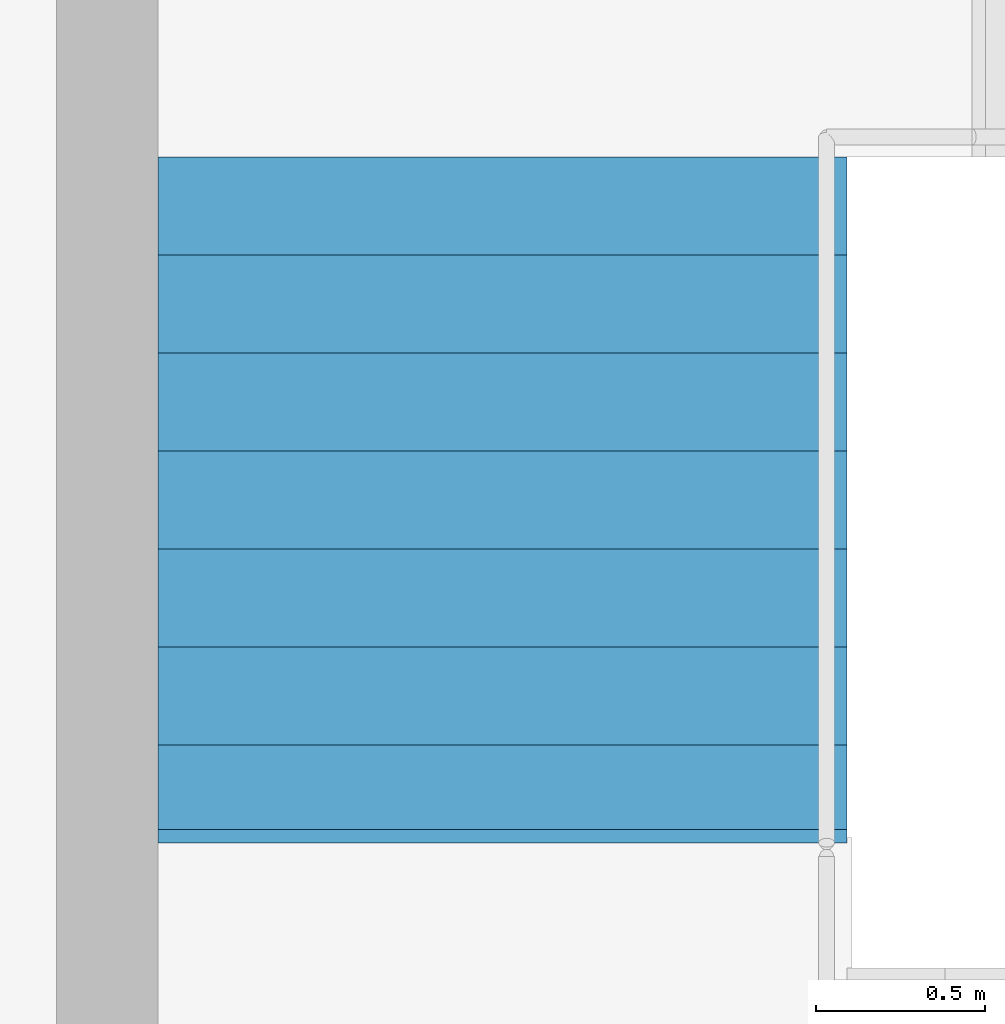
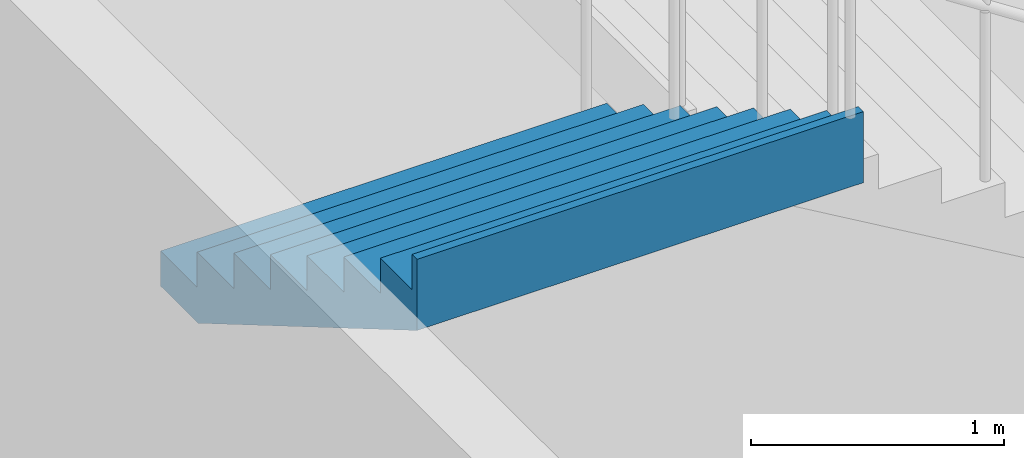
# One storey, part 60 of 72: 1 stair flight, 1 element without a shape of its own.
"""IFC4 building model written with IfcOpenShell, lengths in metres."""

from ifc_helpers import new_model, si_unit, direction, frame, origin, place, context, subcontext, project, spatial, triangles, material, type_object, element, aggregate, save


model = new_model("IFC4")

# Units and contexts
model_context = context("Model", 3, precision=1e-05, world=origin(), true_north=direction((0.0, 1.0)))
body_context = subcontext(model_context, "Body", "Model", "MODEL_VIEW")
ifc_project = project(units=[si_unit("LENGTHUNIT", "METRE"), si_unit("AREAUNIT", "SQUARE_METRE"), si_unit("VOLUMEUNIT", "CUBIC_METRE"), si_unit("PLANEANGLEUNIT", "RADIAN"), si_unit("MASSUNIT", "GRAM", prefix="KILO")], contexts=[model_context])

# Site, building, storey
site_placement = place(None, origin())
site = spatial("IfcSite", under=ifc_project, at=site_placement, CompositionType="ELEMENT")
building_placement = place(site_placement, origin())
building = spatial("IfcBuilding", under=site, at=building_placement, Name="Sillaruma Civic Art Gallery", CompositionType="ELEMENT")
storey_placement = place(building_placement, frame((0.0, 0.0, 10.8798828125)))
storey = spatial("IfcBuildingStorey", under=building, at=storey_placement, Name="L02", CompositionType="ELEMENT", Elevation=10.8798828125)

# Stair, stair flight
ifc_material = material(Name="Concrete H35 (35 MPa)", Category="concrete")
stair_type = type_object("IfcStairType", Name="STR-4F-32", PredefinedType="USERDEFINED", material=ifc_material)
stair_placement = place(storey_placement, origin())
stair = element("IfcStair", 1, at=stair_placement, inside=storey, type_object=stair_type, Name="Protected Exit Stair ST-01 (West Wing) (L02)", ObjectType="THREE_RETURN_STAIR", PredefinedType="USERDEFINED")
stair_flight_type = type_object("IfcStairFlightType", Name="SFL-STR-8", PredefinedType="STRAIGHT", material=ifc_material)
stair_flight_placement = place(storey_placement, frame((26.580078125, 105.139892578125, 4.080078125), z_axis=(0.0, 0.0, 1.0), x_axis=(0.0, -1.0, 0.0)))
stair_flight = element("IfcStairFlight", 2, at=stair_flight_placement, type_object=stair_flight_type, Name="ST-01 flight 4", NumberOfRisers=8, NumberOfTreads=7, PredefinedType="STRAIGHT", RiserHeight=0.17, TreadLength=0.29, context=body_context, shape_type="Tessellation", body=[
    triangles([(0.0, -1.02001953125, 0.0), (0.29, -1.02001953125, 0.0), (0.296443, -1.02001953125, 0.0), (0.58, -1.02001953125, 0.166223), (0.87, -1.02001953125, 0.336223), (1.16, -1.02001953125, 0.506223), (1.45, -1.02001953125, 0.676223), (1.74, -1.02001953125, 0.846223), (1.990029, -1.02001953125, 0.992792), (2.030029, -1.02001953125, 1.01624), (2.030029, -1.02001953125, 1.36), (1.990029, -1.02001953125, 1.36), (1.990029, -1.02001953125, 1.19), (1.74, -1.02001953125, 1.19), (1.74, -1.02001953125, 1.02), (1.45, -1.02001953125, 1.02), (1.45, -1.02001953125, 0.85), (1.16, -1.02001953125, 0.85), (1.16, -1.02001953125, 0.68), (0.87, -1.02001953125, 0.68), (0.87, -1.02001953125, 0.51), (0.58, -1.02001953125, 0.51), (0.58, -1.02001953125, 0.34), (0.296443, -1.02001953125, 0.34), (0.29, -1.02001953125, 0.34), (0.29, -1.02001953125, 0.17), (0.0, -1.02001953125, 0.17), (0.0, -0.05, 0.0), (0.29, -0.05, 0.0), (0.296443, -0.05, 0.0), (0.58, -0.05, 0.166223), (0.87, -0.05, 0.336223), (1.16, -0.05, 0.506223), (1.45, -0.05, 0.676223), (1.74, -0.05, 0.846223), (1.990029, -0.05, 0.992792), (2.030029, -0.05, 1.01624), (2.030029, -0.05, 1.36), (1.990029, -0.05, 1.36), (1.990029, -0.05, 1.19), (1.74, -0.05, 1.19), (1.74, -0.05, 1.02), (1.45, -0.05, 1.02), (1.45, -0.05, 0.85), (1.16, -0.05, 0.85), (1.16, -0.05, 0.68), (0.87, -0.05, 0.68), (0.87, -0.05, 0.51), (0.58, -0.05, 0.51), (0.58, -0.05, 0.34), (0.296443, -0.05, 0.34), (0.29, -0.05, 0.34), (0.29, -0.05, 0.17), (0.0, -0.05, 0.17), (0.0, -0.0375, 0.0), (0.29, -0.0375, 0.0), (0.296443, -0.0375, 0.0), (0.58, -0.0375, 0.166223), (0.87, -0.0375, 0.336223), (1.16, -0.0375, 0.506223), (1.45, -0.0375, 0.676223), (1.74, -0.0375, 0.846223), (1.990029, -0.0375, 0.992792), (2.030029, -0.0375, 1.01624), (2.030029, -0.0375, 1.36), (1.990029, -0.0375, 1.36), (1.990029, -0.0375, 1.19), (1.74, -0.0375, 1.19), (1.74, -0.0375, 1.02), (1.45, -0.0375, 1.02), (1.45, -0.0375, 0.85), (1.16, -0.0375, 0.85), (1.16, -0.0375, 0.68), (0.87, -0.0375, 0.68), (0.87, -0.0375, 0.51), (0.58, -0.0375, 0.51), (0.58, -0.0375, 0.34), (0.296443, -0.0375, 0.34), (0.29, -0.0375, 0.34), (0.29, -0.0375, 0.17), (0.0, -0.0375, 0.17), (0.0, -0.025, 0.0), (0.29, -0.025, 0.0), (0.296443, -0.025, 0.0), (0.58, -0.025, 0.166223), (0.87, -0.025, 0.336223), (1.16, -0.025, 0.506223), (1.45, -0.025, 0.676223), (1.74, -0.025, 0.846223), (1.990029, -0.025, 0.992792), (2.030029, -0.025, 1.01624), (2.030029, -0.025, 1.36), (1.990029, -0.025, 1.36), (1.990029, -0.025, 1.19), (1.74, -0.025, 1.19), (1.74, -0.025, 1.02), (1.45, -0.025, 1.02), (1.45, -0.025, 0.85), (1.16, -0.025, 0.85), (1.16, -0.025, 0.68), (0.87, -0.025, 0.68), (0.87, -0.025, 0.51), (0.58, -0.025, 0.51), (0.58, -0.025, 0.34), (0.296443, -0.025, 0.34), (0.29, -0.025, 0.34), (0.29, -0.025, 0.17), (0.0, -0.025, 0.17), (0.0, -0.0125, 0.0), (0.29, -0.0125, 0.0), (0.296443, -0.0125, 0.0), (0.58, -0.0125, 0.166223), (0.87, -0.0125, 0.336223), (1.16, -0.0125, 0.506223), (1.45, -0.0125, 0.676223), (1.74, -0.0125, 0.846223), (1.990029, -0.0125, 0.992792), (2.030029, -0.0125, 1.01624), (2.030029, -0.0125, 1.36), (1.990029, -0.0125, 1.36), (1.990029, -0.0125, 1.19), (1.74, -0.0125, 1.19), (1.74, -0.0125, 1.02), (1.45, -0.0125, 1.02), (1.45, -0.0125, 0.85), (1.16, -0.0125, 0.85), (1.16, -0.0125, 0.68), (0.87, -0.0125, 0.68), (0.87, -0.0125, 0.51), (0.58, -0.0125, 0.51), (0.58, -0.0125, 0.34), (0.296443, -0.0125, 0.34), (0.29, -0.0125, 0.34), (0.29, -0.0125, 0.17), (0.0, -0.0125, 0.17), (0.0, 0.0, 0.0), (0.29, 0.0, 0.0), (0.296443, 0.0, 0.0), (0.58, 0.0, 0.166223), (0.87, 0.0, 0.336223), (1.16, 0.0, 0.506223), (1.45, 0.0, 0.676223), (1.74, 0.0, 0.846223), (1.990029, 0.0, 0.992792), (2.030029, 0.0, 1.01624), (2.030029, 0.0, 1.36), (1.990029, 0.0, 1.36), (1.990029, 0.0, 1.19), (1.74, 0.0, 1.19), (1.74, 0.0, 1.02), (1.45, 0.0, 1.02), (1.45, 0.0, 0.85), (1.16, 0.0, 0.85), (1.16, 0.0, 0.68), (0.87, 0.0, 0.68), (0.87, 0.0, 0.51), (0.58, 0.0, 0.51), (0.58, 0.0, 0.34), (0.296443, 0.0, 0.34), (0.29, 0.0, 0.34), (0.29, 0.0, 0.17), (0.0, 0.0, 0.17), (0.0, 0.0125, 0.0), (0.29, 0.0125, 0.0), (0.296443, 0.0125, 0.0), (0.58, 0.0125, 0.166223), (0.87, 0.0125, 0.336223), (1.16, 0.0125, 0.506223), (1.45, 0.0125, 0.676223), (1.74, 0.0125, 0.846223), (1.990029, 0.0125, 0.992792), (2.030029, 0.0125, 1.01624), (2.030029, 0.0125, 1.36), (1.990029, 0.0125, 1.36), (1.990029, 0.0125, 1.19), (1.74, 0.0125, 1.19), (1.74, 0.0125, 1.02), (1.45, 0.0125, 1.02), (1.45, 0.0125, 0.85), (1.16, 0.0125, 0.85), (1.16, 0.0125, 0.68), (0.87, 0.0125, 0.68), (0.87, 0.0125, 0.51), (0.58, 0.0125, 0.51), (0.58, 0.0125, 0.34), (0.296443, 0.0125, 0.34), (0.29, 0.0125, 0.34), (0.29, 0.0125, 0.17), (0.0, 0.0125, 0.17), (0.0, 0.025, 0.0), (0.29, 0.025, 0.0), (0.296443, 0.025, 0.0), (0.58, 0.025, 0.166223), (0.87, 0.025, 0.336223), (1.16, 0.025, 0.506223), (1.45, 0.025, 0.676223), (1.74, 0.025, 0.846223), (1.990029, 0.025, 0.992792), (2.030029, 0.025, 1.01624), (2.030029, 0.025, 1.36), (1.990029, 0.025, 1.36), (1.990029, 0.025, 1.19), (1.74, 0.025, 1.19), (1.74, 0.025, 1.02), (1.45, 0.025, 1.02), (1.45, 0.025, 0.85), (1.16, 0.025, 0.85), (1.16, 0.025, 0.68), (0.87, 0.025, 0.68), (0.87, 0.025, 0.51), (0.58, 0.025, 0.51), (0.58, 0.025, 0.34), (0.296443, 0.025, 0.34), (0.29, 0.025, 0.34), (0.29, 0.025, 0.17), (0.0, 0.025, 0.17), (0.0, 0.0375, 0.0), (0.29, 0.0375, 0.0), (0.296443, 0.0375, 0.0), (0.58, 0.0375, 0.166223), (0.87, 0.0375, 0.336223), (1.16, 0.0375, 0.506223), (1.45, 0.0375, 0.676223), (1.74, 0.0375, 0.846223), (1.990029, 0.0375, 0.992792), (2.030029, 0.0375, 1.01624), (2.030029, 0.0375, 1.36), (1.990029, 0.0375, 1.36), (1.990029, 0.0375, 1.19), (1.74, 0.0375, 1.19), (1.74, 0.0375, 1.02), (1.45, 0.0375, 1.02), (1.45, 0.0375, 0.85), (1.16, 0.0375, 0.85), (1.16, 0.0375, 0.68), (0.87, 0.0375, 0.68), (0.87, 0.0375, 0.51), (0.58, 0.0375, 0.51), (0.58, 0.0375, 0.34), (0.296443, 0.0375, 0.34), (0.29, 0.0375, 0.34), (0.29, 0.0375, 0.17), (0.0, 0.0375, 0.17), (0.0, 0.05, 0.0), (0.29, 0.05, 0.0), (0.296443, 0.05, 0.0), (0.58, 0.05, 0.166223), (0.87, 0.05, 0.336223), (1.16, 0.05, 0.506223), (1.45, 0.05, 0.676223), (1.74, 0.05, 0.846223), (1.990029, 0.05, 0.992792), (2.030029, 0.05, 1.01624), (2.030029, 0.05, 1.36), (1.990029, 0.05, 1.36), (1.990029, 0.05, 1.19), (1.74, 0.05, 1.19), (1.74, 0.05, 1.02), (1.45, 0.05, 1.02), (1.45, 0.05, 0.85), (1.16, 0.05, 0.85), (1.16, 0.05, 0.68), (0.87, 0.05, 0.68), (0.87, 0.05, 0.51), (0.58, 0.05, 0.51), (0.58, 0.05, 0.34), (0.296443, 0.05, 0.34), (0.29, 0.05, 0.34), (0.29, 0.05, 0.17), (0.0, 0.05, 0.17), (0.0, 1.02001953125, 0.0), (0.29, 1.02001953125, 0.0), (0.296443, 1.02001953125, 0.0), (0.58, 1.02001953125, 0.166223), (0.87, 1.02001953125, 0.336223), (1.16, 1.02001953125, 0.506223), (1.45, 1.02001953125, 0.676223), (1.74, 1.02001953125, 0.846223), (1.990029, 1.02001953125, 0.992792), (2.030029, 1.02001953125, 1.01624), (2.030029, 1.02001953125, 1.36), (1.990029, 1.02001953125, 1.36), (1.990029, 1.02001953125, 1.19), (1.74, 1.02001953125, 1.19), (1.74, 1.02001953125, 1.02), (1.45, 1.02001953125, 1.02), (1.45, 1.02001953125, 0.85), (1.16, 1.02001953125, 0.85), (1.16, 1.02001953125, 0.68), (0.87, 1.02001953125, 0.68), (0.87, 1.02001953125, 0.51), (0.58, 1.02001953125, 0.51), (0.58, 1.02001953125, 0.34), (0.296443, 1.02001953125, 0.34), (0.29, 1.02001953125, 0.34), (0.29, 1.02001953125, 0.17), (0.0, 1.02001953125, 0.17)], [[1, 2, 26], [1, 26, 27], [2, 3, 24], [2, 24, 26], [26, 24, 25], [3, 4, 23], [3, 23, 24], [4, 5, 21], [4, 21, 23], [23, 21, 22], [5, 6, 19], [5, 19, 21], [21, 19, 20], [6, 7, 17], [6, 17, 19], [19, 17, 18], [7, 8, 15], [7, 15, 17], [17, 15, 16], [8, 9, 13], [8, 13, 15], [15, 13, 14], [9, 10, 11], [9, 11, 13], [13, 11, 12], [296, 272, 271], [297, 296, 271], [294, 273, 272], [296, 294, 272], [295, 294, 296], [293, 274, 273], [294, 293, 273], [291, 275, 274], [293, 291, 274], [292, 291, 293], [289, 276, 275], [291, 289, 275], [290, 289, 291], [287, 277, 276], [289, 287, 276], [288, 287, 289], [285, 278, 277], [287, 285, 277], [286, 285, 287], [283, 279, 278], [285, 283, 278], [284, 283, 285], [281, 280, 279], [283, 281, 279], [282, 281, 283], [2, 1, 28], [2, 28, 29], [3, 2, 29], [3, 29, 30], [4, 3, 30], [4, 30, 31], [5, 4, 31], [5, 31, 32], [6, 5, 32], [6, 32, 33], [7, 6, 33], [7, 33, 34], [8, 7, 34], [8, 34, 35], [9, 8, 35], [9, 35, 36], [10, 9, 36], [10, 36, 37], [11, 10, 37], [11, 37, 38], [12, 11, 38], [12, 38, 39], [13, 12, 39], [13, 39, 40], [14, 13, 40], [14, 40, 41], [15, 14, 41], [15, 41, 42], [16, 15, 42], [16, 42, 43], [17, 16, 43], [17, 43, 44], [18, 17, 44], [18, 44, 45], [19, 18, 45], [19, 45, 46], [20, 19, 46], [20, 46, 47], [21, 20, 47], [21, 47, 48], [22, 21, 48], [22, 48, 49], [23, 22, 49], [23, 49, 50], [24, 23, 50], [24, 50, 51], [25, 24, 51], [25, 51, 52], [26, 25, 52], [26, 52, 53], [27, 26, 53], [27, 53, 54], [1, 27, 54], [1, 54, 28], [29, 28, 55], [29, 55, 56], [30, 29, 56], [30, 56, 57], [31, 30, 57], [31, 57, 58], [32, 31, 58], [32, 58, 59], [33, 32, 59], [33, 59, 60], [34, 33, 60], [34, 60, 61], [35, 34, 61], [35, 61, 62], [36, 35, 62], [36, 62, 63], [37, 36, 63], [37, 63, 64], [38, 37, 64], [38, 64, 65], [39, 38, 65], [39, 65, 66], [40, 39, 66], [40, 66, 67], [41, 40, 67], [41, 67, 68], [42, 41, 68], [42, 68, 69], [43, 42, 69], [43, 69, 70], [44, 43, 70], [44, 70, 71], [45, 44, 71], [45, 71, 72], [46, 45, 72], [46, 72, 73], [47, 46, 73], [47, 73, 74], [48, 47, 74], [48, 74, 75], [49, 48, 75], [49, 75, 76], [50, 49, 76], [50, 76, 77], [51, 50, 77], [51, 77, 78], [52, 51, 78], [52, 78, 79], [53, 52, 79], [53, 79, 80], [54, 53, 80], [54, 80, 81], [28, 54, 81], [28, 81, 55], [56, 55, 82], [56, 82, 83], [57, 56, 83], [57, 83, 84], [58, 57, 84], [58, 84, 85], [59, 58, 85], [59, 85, 86], [60, 59, 86], [60, 86, 87], [61, 60, 87], [61, 87, 88], [62, 61, 88], [62, 88, 89], [63, 62, 89], [63, 89, 90], [64, 63, 90], [64, 90, 91], [65, 64, 91], [65, 91, 92], [66, 65, 92], [66, 92, 93], [67, 66, 93], [67, 93, 94], [68, 67, 94], [68, 94, 95], [69, 68, 95], [69, 95, 96], [70, 69, 96], [70, 96, 97], [71, 70, 97], [71, 97, 98], [72, 71, 98], [72, 98, 99], [73, 72, 99], [73, 99, 100], [74, 73, 100], [74, 100, 101], [75, 74, 101], [75, 101, 102], [76, 75, 102], [76, 102, 103], [77, 76, 103], [77, 103, 104], [78, 77, 104], [78, 104, 105], [79, 78, 105], [79, 105, 106], [80, 79, 106], [80, 106, 107], [81, 80, 107], [81, 107, 108], [55, 81, 108], [55, 108, 82], [83, 82, 109], [83, 109, 110], [84, 83, 110], [84, 110, 111], [85, 84, 111], [85, 111, 112], [86, 85, 112], [86, 112, 113], [87, 86, 113], [87, 113, 114], [88, 87, 114], [88, 114, 115], [89, 88, 115], [89, 115, 116], [90, 89, 116], [90, 116, 117], [91, 90, 117], [91, 117, 118], [92, 91, 118], [92, 118, 119], [93, 92, 119], [93, 119, 120], [94, 93, 120], [94, 120, 121], [95, 94, 121], [95, 121, 122], [96, 95, 122], [96, 122, 123], [97, 96, 123], [97, 123, 124], [98, 97, 124], [98, 124, 125], [99, 98, 125], [99, 125, 126], [100, 99, 126], [100, 126, 127], [101, 100, 127], [101, 127, 128], [102, 101, 128], [102, 128, 129], [103, 102, 129], [103, 129, 130], [104, 103, 130], [104, 130, 131], [105, 104, 131], [105, 131, 132], [106, 105, 132], [106, 132, 133], [107, 106, 133], [107, 133, 134], [108, 107, 134], [108, 134, 135], [82, 108, 135], [82, 135, 109], [110, 109, 136], [110, 136, 137], [111, 110, 137], [111, 137, 138], [112, 111, 138], [112, 138, 139], [113, 112, 139], [113, 139, 140], [114, 113, 140], [114, 140, 141], [115, 114, 141], [115, 141, 142], [116, 115, 142], [116, 142, 143], [117, 116, 143], [117, 143, 144], [118, 117, 144], [118, 144, 145], [119, 118, 145], [119, 145, 146], [120, 119, 146], [120, 146, 147], [121, 120, 147], [121, 147, 148], [122, 121, 148], [122, 148, 149], [123, 122, 149], [123, 149, 150], [124, 123, 150], [124, 150, 151], [125, 124, 151], [125, 151, 152], [126, 125, 152], [126, 152, 153], [127, 126, 153], [127, 153, 154], [128, 127, 154], [128, 154, 155], [129, 128, 155], [129, 155, 156], [130, 129, 156], [130, 156, 157], [131, 130, 157], [131, 157, 158], [132, 131, 158], [132, 158, 159], [133, 132, 159], [133, 159, 160], [134, 133, 160], [134, 160, 161], [135, 134, 161], [135, 161, 162], [109, 135, 162], [109, 162, 136], [137, 136, 163], [137, 163, 164], [138, 137, 164], [138, 164, 165], [139, 138, 165], [139, 165, 166], [140, 139, 166], [140, 166, 167], [141, 140, 167], [141, 167, 168], [142, 141, 168], [142, 168, 169], [143, 142, 169], [143, 169, 170], [144, 143, 170], [144, 170, 171], [145, 144, 171], [145, 171, 172], [146, 145, 172], [146, 172, 173], [147, 146, 173], [147, 173, 174], [148, 147, 174], [148, 174, 175], [149, 148, 175], [149, 175, 176], [150, 149, 176], [150, 176, 177], [151, 150, 177], [151, 177, 178], [152, 151, 178], [152, 178, 179], [153, 152, 179], [153, 179, 180], [154, 153, 180], [154, 180, 181], [155, 154, 181], [155, 181, 182], [156, 155, 182], [156, 182, 183], [157, 156, 183], [157, 183, 184], [158, 157, 184], [158, 184, 185], [159, 158, 185], [159, 185, 186], [160, 159, 186], [160, 186, 187], [161, 160, 187], [161, 187, 188], [162, 161, 188], [162, 188, 189], [136, 162, 189], [136, 189, 163], [164, 163, 190], [164, 190, 191], [165, 164, 191], [165, 191, 192], [166, 165, 192], [166, 192, 193], [167, 166, 193], [167, 193, 194], [168, 167, 194], [168, 194, 195], [169, 168, 195], [169, 195, 196], [170, 169, 196], [170, 196, 197], [171, 170, 197], [171, 197, 198], [172, 171, 198], [172, 198, 199], [173, 172, 199], [173, 199, 200], [174, 173, 200], [174, 200, 201], [175, 174, 201], [175, 201, 202], [176, 175, 202], [176, 202, 203], [177, 176, 203], [177, 203, 204], [178, 177, 204], [178, 204, 205], [179, 178, 205], [179, 205, 206], [180, 179, 206], [180, 206, 207], [181, 180, 207], [181, 207, 208], [182, 181, 208], [182, 208, 209], [183, 182, 209], [183, 209, 210], [184, 183, 210], [184, 210, 211], [185, 184, 211], [185, 211, 212], [186, 185, 212], [186, 212, 213], [187, 186, 213], [187, 213, 214], [188, 187, 214], [188, 214, 215], [189, 188, 215], [189, 215, 216], [163, 189, 216], [163, 216, 190], [191, 190, 217], [191, 217, 218], [192, 191, 218], [192, 218, 219], [193, 192, 219], [193, 219, 220], [194, 193, 220], [194, 220, 221], [195, 194, 221], [195, 221, 222], [196, 195, 222], [196, 222, 223], [197, 196, 223], [197, 223, 224], [198, 197, 224], [198, 224, 225], [199, 198, 225], [199, 225, 226], [200, 199, 226], [200, 226, 227], [201, 200, 227], [201, 227, 228], [202, 201, 228], [202, 228, 229], [203, 202, 229], [203, 229, 230], [204, 203, 230], [204, 230, 231], [205, 204, 231], [205, 231, 232], [206, 205, 232], [206, 232, 233], [207, 206, 233], [207, 233, 234], [208, 207, 234], [208, 234, 235], [209, 208, 235], [209, 235, 236], [210, 209, 236], [210, 236, 237], [211, 210, 237], [211, 237, 238], [212, 211, 238], [212, 238, 239], [213, 212, 239], [213, 239, 240], [214, 213, 240], [214, 240, 241], [215, 214, 241], [215, 241, 242], [216, 215, 242], [216, 242, 243], [190, 216, 243], [190, 243, 217], [218, 217, 244], [218, 244, 245], [219, 218, 245], [219, 245, 246], [220, 219, 246], [220, 246, 247], [221, 220, 247], [221, 247, 248], [222, 221, 248], [222, 248, 249], [223, 222, 249], [223, 249, 250], [224, 223, 250], [224, 250, 251], [225, 224, 251], [225, 251, 252], [226, 225, 252], [226, 252, 253], [227, 226, 253], [227, 253, 254], [228, 227, 254], [228, 254, 255], [229, 228, 255], [229, 255, 256], [230, 229, 256], [230, 256, 257], [231, 230, 257], [231, 257, 258], [232, 231, 258], [232, 258, 259], [233, 232, 259], [233, 259, 260], [234, 233, 260], [234, 260, 261], [235, 234, 261], [235, 261, 262], [236, 235, 262], [236, 262, 263], [237, 236, 263], [237, 263, 264], [238, 237, 264], [238, 264, 265], [239, 238, 265], [239, 265, 266], [240, 239, 266], [240, 266, 267], [241, 240, 267], [241, 267, 268], [242, 241, 268], [242, 268, 269], [243, 242, 269], [243, 269, 270], [217, 243, 270], [217, 270, 244], [245, 244, 271], [245, 271, 272], [246, 245, 272], [246, 272, 273], [247, 246, 273], [247, 273, 274], [248, 247, 274], [248, 274, 275], [249, 248, 275], [249, 275, 276], [250, 249, 276], [250, 276, 277], [251, 250, 277], [251, 277, 278], [252, 251, 278], [252, 278, 279], [253, 252, 279], [253, 279, 280], [254, 253, 280], [254, 280, 281], [255, 254, 281], [255, 281, 282], [256, 255, 282], [256, 282, 283], [257, 256, 283], [257, 283, 284], [258, 257, 284], [258, 284, 285], [259, 258, 285], [259, 285, 286], [260, 259, 286], [260, 286, 287], [261, 260, 287], [261, 287, 288], [262, 261, 288], [262, 288, 289], [263, 262, 289], [263, 289, 290], [264, 263, 290], [264, 290, 291], [265, 264, 291], [265, 291, 292], [266, 265, 292], [266, 292, 293], [267, 266, 293], [267, 293, 294], [268, 267, 294], [268, 294, 295], [269, 268, 295], [269, 295, 296], [270, 269, 296], [270, 296, 297], [244, 270, 297], [244, 297, 271]], closed=True),
])
aggregate(stair, [stair_flight])

save(model, "model.ifc")
